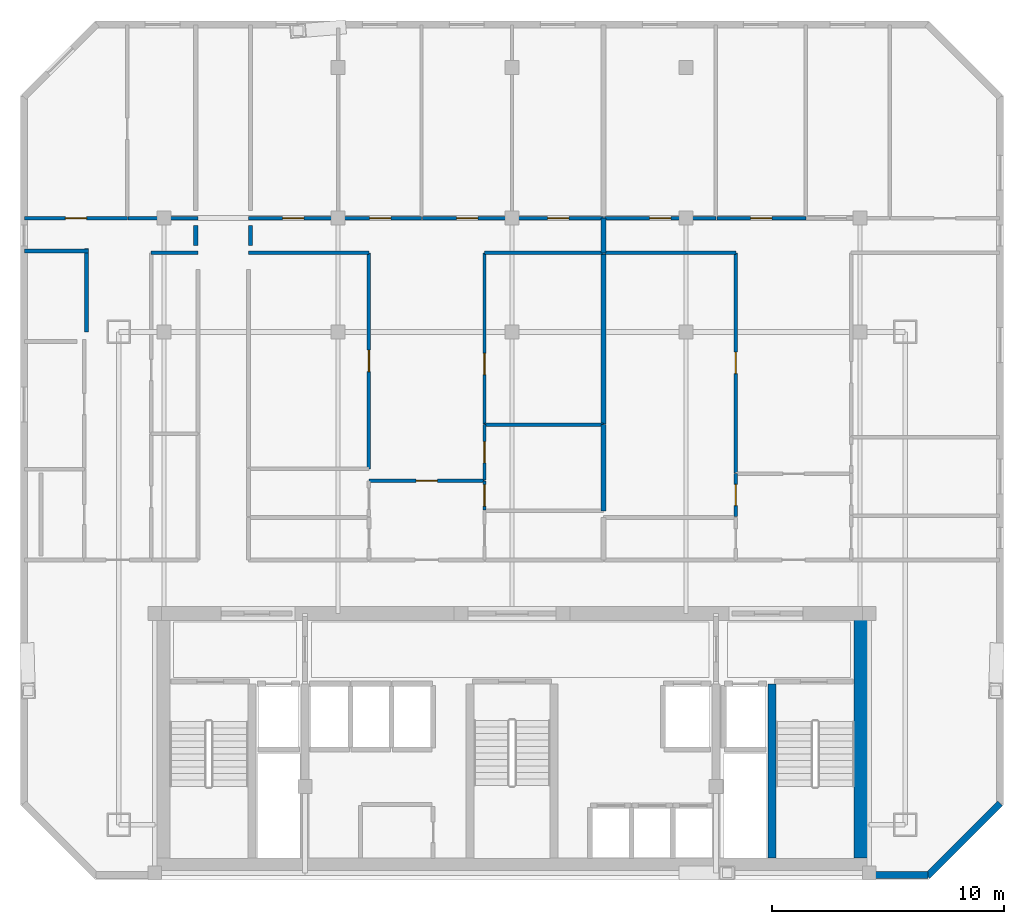
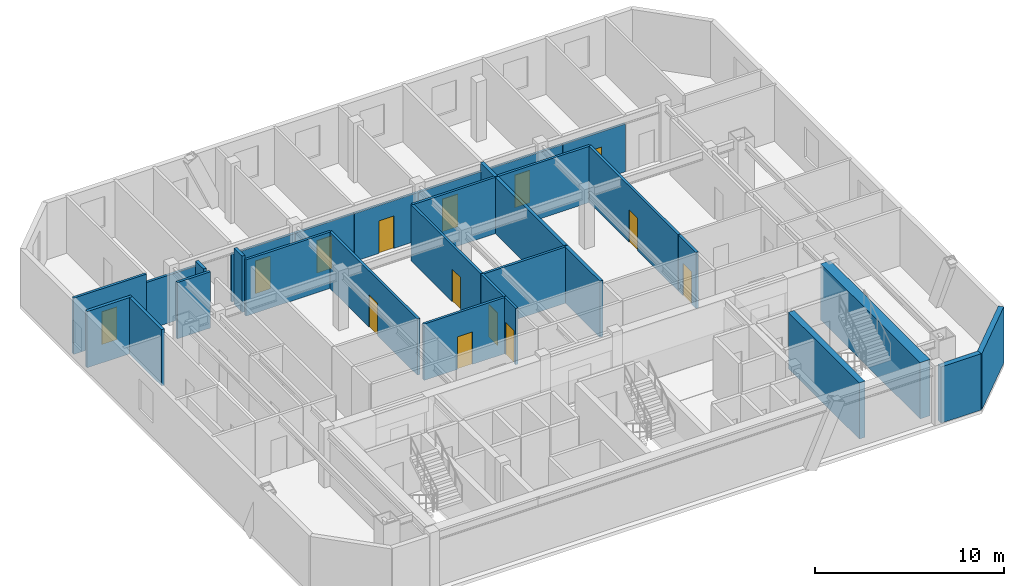
# One storey, part 4 of 7: 31 walls, 14 doors, 14 openings.
"""IFC4 building model written with IfcOpenShell, lengths in metres."""

from ifc_helpers import new_model, si_unit, direction, frame, frame_2d, origin, place, context, subcontext, project, spatial, rectangle, extrude, material, layer, layer_set, type_object, element, fill, save


model = new_model("IFC4")

# Units and contexts
model_context = context("Model", 3, precision=1e-05, world=origin(), true_north=direction((0.0, 1.0)))
body_context = subcontext(model_context, "Body", "Model", "MODEL_VIEW")
ifc_project = project(units=[si_unit("LENGTHUNIT", "METRE"), si_unit("AREAUNIT", "SQUARE_METRE"), si_unit("VOLUMEUNIT", "CUBIC_METRE"), si_unit("PLANEANGLEUNIT", "RADIAN"), si_unit("MASSUNIT", "GRAM", prefix="KILO")], contexts=[model_context])

# Site, building, storey
site_placement = place(None, origin())
site = spatial("IfcSite", under=ifc_project, at=site_placement, CompositionType="ELEMENT")
building_placement = place(site_placement, origin())
building = spatial("IfcBuilding", under=site, at=building_placement, Name="Ventersveld Concourse Tower", CompositionType="ELEMENT")
storey_placement = place(building_placement, frame((0.0, 0.0, 234.949951171875)))
storey = spatial("IfcBuildingStorey", under=building, at=storey_placement, Name="L58", CompositionType="ELEMENT", Elevation=234.949951171875)

# Walls
ifc_material_1 = material(Name="Concrete C50/60", Category="concrete")
ifc_layer_1 = layer(ifc_material_1, 0.35009765625)
ifc_layer_set_1 = layer_set([ifc_layer_1], Name="Concrete C50/60")
wall_type_1 = type_object("IfcWallType", Name="WL-CORE-350U", PredefinedType="SHEAR", material=ifc_layer_set_1)
wall_1_placement = place(storey_placement, frame((39.9599609375, 0.919921875, 0.0), z_axis=(0.0, 0.0, 1.0), x_axis=(0.0, 1.0, 0.0)))
element("IfcWall", 1, at=wall_1_placement, inside=storey, type_object=wall_type_1, Name="L58 Core Internal Shear Web W-ST2-W", PredefinedType="SHEAR", context=body_context, shape_type="SweptSolid", body=[
    extrude(rectangle(XDim=7.5, YDim=0.35009765625, at=frame_2d((3.75, 0.0))), origin(), (0.0, 0.0, 1.0), 3.630126953125),
])
ifc_layer_2 = layer(ifc_material_1, 0.60009765625)
ifc_layer_set_2 = layer_set([ifc_layer_2], Name="Concrete C50/60")
wall_type_2 = type_object("IfcWallType", Name="WL-CORE-600", PredefinedType="SHEAR", material=ifc_layer_set_2)
wall_2_placement = place(storey_placement, frame((43.800048828125, 0.919921875, 0.0), z_axis=(0.0, 0.0, 1.0), x_axis=(0.0, 1.0, 0.0)))
element("IfcWall", 2, at=wall_2_placement, inside=storey, type_object=wall_type_2, Name="L58 Rear Core East Shear Wall", PredefinedType="SHEAR", context=body_context, shape_type="SweptSolid", body=[
    extrude(rectangle(XDim=10.530029296875, YDim=0.60009765625, at=frame_2d((5.26513671875, 0.0))), origin(), (0.0, 0.0, 1.0), 3.630126953125),
])
ifc_material_2 = material(Name="Fire-rated autoclaved aerated masonry blockwork", Category="masonry")
ifc_layer_3 = layer(ifc_material_2, 0.179931640625)
ifc_layer_set_3 = layer_set([ifc_layer_3], Name="Fire-rated autoclaved aerated masonry blockwork")
wall_type_3 = type_object("IfcWallType", Name="WL-CORR-180", PredefinedType="PARTITIONING", material=ifc_layer_set_3)
wall_3_placement = place(storey_placement, frame((10.404052734375, 23.58740234375, 0.0), z_axis=(0.0, 0.0, 1.0), x_axis=(0.0, 1.0, 0.0)))
element("IfcWall", 3, at=wall_3_placement, inside=storey, type_object=wall_type_3, Name="L58 Room Enclosure Wall SP-L58-58NW-LIV", PredefinedType="PARTITIONING", context=body_context, shape_type="SweptSolid", body=[
    extrude(rectangle(XDim=3.59765625, YDim=0.179931640625, at=frame_2d((1.798828125, 0.0))), origin(), (0.0, 0.0, 1.0), 3.630126953125),
])
wall_4_placement = place(storey_placement, frame((10.4990234375, 27.090087890625, 0.0), z_axis=(0.0, 0.0, 1.0), x_axis=(-1.0, 0.0, 0.0)))
element("IfcWall", 4, at=wall_4_placement, inside=storey, type_object=wall_type_3, Name="L58 Room Enclosure Wall SP-L58-58NW-LIV", PredefinedType="PARTITIONING", context=body_context, shape_type="SweptSolid", body=[
    extrude(rectangle(XDim=2.75537109375, YDim=0.179931640625, at=frame_2d((1.377685546875, 0.0))), origin(), (0.0, 0.0, 1.0), 3.630126953125),
])
for number, where, z_axis, x_axis, name in (
    (5, (15.1201171875, 28.175048828125, 0.0), (0.0, 0.0, 1.0), (0.0, -1.0, 0.0), "L58 Room Enclosure Wall SP-L58-58NW-LIV"),
    (6, (17.47998046875, 27.324951171875, 0.0), (0.0, 0.0, 1.0), (0.0, 1.0, 0.0), "L58 Room Enclosure Wall SP-L58-58N1-LIV"),
):
    element("IfcWall", number, at=place(storey_placement, frame(where, z_axis=z_axis, x_axis=x_axis)), inside=storey, type_object=wall_type_3, Name=name, PredefinedType="PARTITIONING", context=body_context, shape_type="SweptSolid", body=[
        extrude(rectangle(XDim=0.85009765625, YDim=0.179931640625, at=frame_2d((0.425048828125, 0.0))), origin(), (0.0, 0.0, 1.0), 3.630126953125),
    ])
ifc_layer_4 = layer(ifc_material_2, 0.199951171875)
ifc_layer_set_4 = layer_set([ifc_layer_4], Name="Fire-rated autoclaved aerated masonry blockwork")
wall_type_4 = type_object("IfcWallType", Name="WL-DEMISE-200", PredefinedType="PARTITIONING", material=ifc_layer_set_4)
wall_5_placement = place(storey_placement, frame((32.6953125, 26.9951171875, 0.0), z_axis=(0.0, 0.0, 1.0), x_axis=(0.0, 1.0, 0.0)))
element("IfcWall", 7, at=wall_5_placement, inside=storey, type_object=wall_type_4, Name="L58 Interior Partition SP-L58-58N1-LIV-SP-L58-58N2-LIV", PredefinedType="PARTITIONING", context=body_context, shape_type="SweptSolid", body=[
    extrude(rectangle(XDim=1.509765625, YDim=0.199951171875, at=frame_2d((0.7548828125, 0.0))), origin(), (0.0, 0.0, 1.0), 3.630126953125),
])
wall_6_placement = place(storey_placement, frame((32.6953125, 15.884033203125, 0.0), z_axis=(0.0, 0.0, 1.0), x_axis=(0.0, 1.0, 0.0)))
element("IfcWall", 8, at=wall_6_placement, inside=storey, type_object=wall_type_4, Name="L58 Interior Partition SP-L58-58N1-SEMR1-SP-L58-58N2-MEDL0", PredefinedType="PARTITIONING", context=body_context, shape_type="SweptSolid", body=[
    extrude(rectangle(XDim=3.719482421875, YDim=0.199951171875, at=frame_2d((1.85986328125, 0.0))), origin(), (0.0, 0.0, 1.0), 3.630126953125),
])
wall_7_placement = place(storey_placement, frame((32.6953125, 19.633544921875, 0.0), z_axis=(0.0, 0.0, 1.0), x_axis=(0.0, 1.0, 0.0)))
element("IfcWall", 9, at=wall_7_placement, inside=storey, type_object=wall_type_4, Name="L58 Interior Partition SP-L58-58N1-DENS-SP-L58-58N2-MEDL0", PredefinedType="PARTITIONING", context=body_context, shape_type="SweptSolid", body=[
    extrude(rectangle(XDim=7.33154296875, YDim=0.199951171875, at=frame_2d((3.665771484375, 0.0))), origin(), (0.0, 0.0, 1.0), 3.630126953125),
])
ifc_material_3 = material(Name="Autoclaved aerated masonry blockwork", Category="masonry")
ifc_layer_5 = layer(ifc_material_3, 0.14990234375)
ifc_layer_set_5 = layer_set([ifc_layer_5], Name="Autoclaved aerated masonry blockwork")
wall_type_5 = type_object("IfcWallType", Name="WL-INT-150", PredefinedType="PARTITIONING", material=ifc_layer_set_5)
wall_8_placement = place(storey_placement, frame((13.19677734375, 27.0, 0.0), z_axis=(0.0, 0.0, 1.0), x_axis=(1.0, 0.0, 0.0)))
element("IfcWall", 10, at=wall_8_placement, inside=storey, type_object=wall_type_5, Name="L58 Interior Partition SP-L58-58NW-LIV-SP-L58-58NW-MEDR1", PredefinedType="PARTITIONING", context=body_context, shape_type="SweptSolid", body=[
    extrude(rectangle(XDim=2.018310546875, YDim=0.14990234375, at=frame_2d((1.00927734375, 0.0))), origin(), (0.0, 0.0, 1.0), 3.630126953125),
])

# Wall, opening, door
wall_9_placement = place(storey_placement, frame((7.74365234375, 28.5, 0.0), z_axis=(0.0, 0.0, 1.0), x_axis=(1.0, 0.0, 0.0)))
wall_9 = element("IfcWall", 11, at=wall_9_placement, inside=storey, type_object=wall_type_5, Name="L58 Interior Partition SP-L58-58NW-LIV-SP-L58-58NW-BR1", PredefinedType="PARTITIONING", context=body_context, shape_type="SweptSolid", body=[
    extrude(rectangle(XDim=4.428466796875, YDim=0.14990234375, at=frame_2d((2.21435546875, 0.0))), origin(), (0.0, 0.0, 1.0), 3.630126953125),
])
opening_1_placement = place(wall_9_placement, frame((1.75439453125, 0.0, 0.0)))
opening_1 = element("IfcOpeningElement", 12, at=opening_1_placement, cuts=wall_9, Name="Opening ID1", PredefinedType="OPENING", context=body_context, shape_type="SweptSolid", body=[
    extrude(rectangle(XDim=0.919921875, YDim=2.10009765625, at=frame_2d((0.4599609375, 1.050048828125))), frame((0.0, 0.0849609375, 0.0), z_axis=(0.0, -1.0, 0.0), x_axis=(1.0, 0.0, 0.0)), (0.0, 0.0, 1.0), 0.169921875),
])
ifc_material_4 = material(Name="Solid-core hardwood veneer timber", Category="wood")
door_type = type_object("IfcDoorType", Name="DR-ROOM-092", OperationType="NOTDEFINED", PredefinedType="DOOR", material=ifc_material_4)
door_1_placement = place(opening_1_placement, origin())
door_1 = element("IfcDoor", 13, at=door_1_placement, inside=storey, type_object=door_type, Name="L58 Interior Door SP-L58-58NW-LIV to SP-L58-58NW-BR1 (D-L58-2792)", OperationType="SINGLE_SWING_RIGHT", OverallHeight=2.10009765625, OverallWidth=0.919921875, PredefinedType="DOOR", context=body_context, shape_type="SweptSolid", body=[
    extrude(rectangle(XDim=0.919921875, YDim=2.10009765625, at=frame_2d((0.4599609375, 1.050048828125))), frame((0.0, 0.02490234375, 0.0), z_axis=(0.0, -1.0, 0.0), x_axis=(1.0, 0.0, 0.0)), (0.0, 0.0, 1.0), 0.050048828125),
])
fill(opening_1, door_1)

# Wall
wall_10_placement = place(storey_placement, frame((12.2021484375, 28.5, 0.0), z_axis=(0.0, 0.0, 1.0), x_axis=(1.0, 0.0, 0.0)))
element("IfcWall", 14, at=wall_10_placement, inside=storey, type_object=wall_type_5, Name="L58 Interior Partition SP-L58-58NW-LIV-SP-L58-58NW-BR2", PredefinedType="PARTITIONING", context=body_context, shape_type="SweptSolid", body=[
    extrude(rectangle(XDim=3.012939453125, YDim=0.14990234375, at=frame_2d((1.50634765625, 0.0))), origin(), (0.0, 0.0, 1.0), 3.08544921875),
])

# Wall, opening, door
wall_11_placement = place(storey_placement, frame((22.5791015625, 17.1728515625, 0.0), z_axis=(0.0, 0.0, 1.0), x_axis=(1.0, 0.0, 0.0)))
wall_11 = element("IfcWall", 15, at=wall_11_placement, inside=storey, type_object=wall_type_5, Name="L58 Interior Partition SP-L58-58N1-FOY-SP-L58-58N1-LIV", PredefinedType="PARTITIONING", context=body_context, shape_type="SweptSolid", body=[
    extrude(rectangle(XDim=4.989990234375, YDim=0.14990234375, at=frame_2d((2.4951171875, 0.0))), origin(), (0.0, 0.0, 1.0), 3.630126953125),
])
opening_2_placement = place(wall_11_placement, frame((2.034912109375, 0.0, 0.0)))
opening_2 = element("IfcOpeningElement", 16, at=opening_2_placement, cuts=wall_11, Name="Opening ID1", PredefinedType="OPENING", context=body_context, shape_type="SweptSolid", body=[
    extrude(rectangle(XDim=0.919921875, YDim=2.10009765625, at=frame_2d((0.4599609375, 1.050048828125))), frame((0.0, 0.0849609375, 0.0), z_axis=(0.0, -1.0, 0.0), x_axis=(1.0, 0.0, 0.0)), (0.0, 0.0, 1.0), 0.169921875),
])
door_2_placement = place(opening_2_placement, origin())
door_2 = element("IfcDoor", 17, at=door_2_placement, inside=storey, type_object=door_type, Name="L58 Interior Door SP-L58-58N1-FOY to SP-L58-58N1-LIV (D-L58-2794)", OperationType="SINGLE_SWING_RIGHT", OverallHeight=2.10009765625, OverallWidth=0.919921875, PredefinedType="DOOR", context=body_context, shape_type="SweptSolid", body=[
    extrude(rectangle(XDim=0.919921875, YDim=2.10009765625, at=frame_2d((0.4599609375, 1.050048828125))), frame((0.0, 0.02490234375, 0.0), z_axis=(0.0, -1.0, 0.0), x_axis=(1.0, 0.0, 0.0)), (0.0, 0.0, 1.0), 0.050048828125),
])
fill(opening_2, door_2)

wall_12_placement = place(storey_placement, frame((27.564208984375, 15.924072265625, 0.0), z_axis=(0.0, 0.0, 1.0), x_axis=(0.0, 1.0, 0.0)))
wall_12 = element("IfcWall", 18, at=wall_12_placement, inside=storey, type_object=wall_type_5, Name="L58 Interior Partition SP-L58-58N1-FOY-SP-L58-58N1-SEMR1", PredefinedType="PARTITIONING", context=body_context, shape_type="SweptSolid", body=[
    extrude(rectangle(XDim=1.253662109375, YDim=0.14990234375, at=frame_2d((0.626953125, 0.0))), origin(), (0.0, 0.0, 1.0), 3.630126953125),
])
opening_3_placement = place(wall_12_placement, frame((0.1669921875, 0.0, 0.0)))
opening_3 = element("IfcOpeningElement", 19, at=opening_3_placement, cuts=wall_12, Name="Opening ID1", PredefinedType="OPENING", context=body_context, shape_type="SweptSolid", body=[
    extrude(rectangle(XDim=0.919921875, YDim=2.10009765625, at=frame_2d((0.4599609375, 1.050048828125))), frame((0.0, 0.0849609375, 0.0), z_axis=(0.0, -1.0, 0.0), x_axis=(1.0, 0.0, 0.0)), (0.0, 0.0, 1.0), 0.169921875),
])
door_3_placement = place(opening_3_placement, origin())
door_3 = element("IfcDoor", 20, at=door_3_placement, inside=storey, type_object=door_type, Name="L58 Interior Door SP-L58-58N1-FOY to SP-L58-58N1-SEMR1 (D-L58-2798)", OperationType="SINGLE_SWING_RIGHT", OverallHeight=2.10009765625, OverallWidth=0.919921875, PredefinedType="DOOR", context=body_context, shape_type="SweptSolid", body=[
    extrude(rectangle(XDim=0.919921875, YDim=2.10009765625, at=frame_2d((0.4599609375, 1.050048828125))), frame((0.0, 0.02490234375, 0.0), z_axis=(0.0, -1.0, 0.0), x_axis=(1.0, 0.0, 0.0)), (0.0, 0.0, 1.0), 0.050048828125),
])
fill(opening_3, door_3)

wall_13_placement = place(storey_placement, frame((22.583984375, 17.689697265625, 0.0), z_axis=(0.0, 0.0, 1.0), x_axis=(0.0, 1.0, 0.0)))
wall_13 = element("IfcWall", 21, at=wall_13_placement, inside=storey, type_object=wall_type_5, Name="L58 Interior Partition SP-L58-58N1-LIV-SP-L58-58N1-DENL", PredefinedType="PARTITIONING", context=body_context, shape_type="SweptSolid", body=[
    extrude(rectangle(XDim=9.315185546875, YDim=0.14990234375, at=frame_2d((4.65771484375, 0.0))), origin(), (0.0, 0.0, 1.0), 3.630126953125),
])
opening_4_placement = place(wall_13_placement, frame((4.19775390625, 0.0, 0.0)))
opening_4 = element("IfcOpeningElement", 22, at=opening_4_placement, cuts=wall_13, Name="Opening ID1", PredefinedType="OPENING", context=body_context, shape_type="SweptSolid", body=[
    extrude(rectangle(XDim=0.919921875, YDim=2.10009765625, at=frame_2d((0.4599609375, 1.050048828125))), frame((0.0, 0.0849609375, 0.0), z_axis=(0.0, -1.0, 0.0), x_axis=(1.0, 0.0, 0.0)), (0.0, 0.0, 1.0), 0.169921875),
])
door_4_placement = place(opening_4_placement, origin())
door_4 = element("IfcDoor", 23, at=door_4_placement, inside=storey, type_object=door_type, Name="L58 Interior Door SP-L58-58N1-LIV to SP-L58-58N1-DENL (D-L58-2799)", OperationType="SINGLE_SWING_LEFT", OverallHeight=2.10009765625, OverallWidth=0.919921875, PredefinedType="DOOR", context=body_context, shape_type="SweptSolid", body=[
    extrude(rectangle(XDim=0.919921875, YDim=2.10009765625, at=frame_2d((0.4599609375, 1.050048828125))), frame((0.0, 0.02490234375, 0.0), z_axis=(0.0, -1.0, 0.0), x_axis=(1.0, 0.0, 0.0)), (0.0, 0.0, 1.0), 0.050048828125),
])
fill(opening_4, door_4)

# Wall
wall_14_placement = place(storey_placement, frame((17.385009765625, 27.0, 0.0), z_axis=(0.0, 0.0, 1.0), x_axis=(1.0, 0.0, 0.0)))
element("IfcWall", 24, at=wall_14_placement, inside=storey, type_object=wall_type_5, Name="L58 Interior Partition SP-L58-58N1-LIV-SP-L58-58N1-DENL", PredefinedType="PARTITIONING", context=body_context, shape_type="SweptSolid", body=[
    extrude(rectangle(XDim=5.2041015625, YDim=0.14990234375, at=frame_2d((2.60205078125, 0.0))), origin(), (0.0, 0.0, 1.0), 3.630126953125),
])

# Wall, opening, door
wall_15_placement = place(storey_placement, frame((27.564208984375, 17.207763671875, 0.0), z_axis=(0.0, 0.0, 1.0), x_axis=(0.0, 1.0, 0.0)))
wall_15 = element("IfcWall", 25, at=wall_15_placement, inside=storey, type_object=wall_type_5, Name="L58 Interior Partition SP-L58-58N1-LIV-SP-L58-58N1-SEMR1", PredefinedType="PARTITIONING", context=body_context, shape_type="SweptSolid", body=[
    extrude(rectangle(XDim=2.395751953125, YDim=0.14990234375, at=frame_2d((1.19775390625, 0.0))), origin(), (0.0, 0.0, 1.0), 3.630126953125),
])
opening_5_placement = place(wall_15_placement, frame((0.73779296875, 0.0, 0.0)))
opening_5 = element("IfcOpeningElement", 26, at=opening_5_placement, cuts=wall_15, Name="Opening ID1", PredefinedType="OPENING", context=body_context, shape_type="SweptSolid", body=[
    extrude(rectangle(XDim=0.919921875, YDim=2.10009765625, at=frame_2d((0.4599609375, 1.050048828125))), frame((0.0, 0.0849609375, 0.0), z_axis=(0.0, -1.0, 0.0), x_axis=(1.0, 0.0, 0.0)), (0.0, 0.0, 1.0), 0.169921875),
])
door_5_placement = place(opening_5_placement, origin())
door_5 = element("IfcDoor", 27, at=door_5_placement, inside=storey, type_object=door_type, Name="L58 Interior Door SP-L58-58N1-LIV to SP-L58-58N1-SEMR1 (D-L58-2800)", OperationType="SINGLE_SWING_RIGHT", OverallHeight=2.10009765625, OverallWidth=0.919921875, PredefinedType="DOOR", context=body_context, shape_type="SweptSolid", body=[
    extrude(rectangle(XDim=0.919921875, YDim=2.10009765625, at=frame_2d((0.4599609375, 1.050048828125))), frame((0.0, 0.02490234375, 0.0), z_axis=(0.0, -1.0, 0.0), x_axis=(1.0, 0.0, 0.0)), (0.0, 0.0, 1.0), 0.050048828125),
])
fill(opening_5, door_5)

wall_16_placement = place(storey_placement, frame((27.564208984375, 19.633544921875, 0.0), z_axis=(0.0, 0.0, 1.0), x_axis=(0.0, 1.0, 0.0)))
wall_16 = element("IfcWall", 28, at=wall_16_placement, inside=storey, type_object=wall_type_5, Name="L58 Interior Partition SP-L58-58N1-LIV-SP-L58-58N1-DENS", PredefinedType="PARTITIONING", context=body_context, shape_type="SweptSolid", body=[
    extrude(rectangle(XDim=7.371337890625, YDim=0.14990234375, at=frame_2d((3.685546875, 0.0))), origin(), (0.0, 0.0, 1.0), 3.630126953125),
])
opening_6_placement = place(wall_16_placement, frame((2.1201171875, 0.0, 0.0)))
opening_6 = element("IfcOpeningElement", 29, at=opening_6_placement, cuts=wall_16, Name="Opening ID1", PredefinedType="OPENING", context=body_context, shape_type="SweptSolid", body=[
    extrude(rectangle(XDim=0.919921875, YDim=2.10009765625, at=frame_2d((0.4599609375, 1.050048828125))), frame((0.0, 0.0849609375, 0.0), z_axis=(0.0, -1.0, 0.0), x_axis=(1.0, 0.0, 0.0)), (0.0, 0.0, 1.0), 0.169921875),
])
door_6_placement = place(opening_6_placement, origin())
door_6 = element("IfcDoor", 30, at=door_6_placement, inside=storey, type_object=door_type, Name="L58 Interior Door SP-L58-58N1-LIV to SP-L58-58N1-DENS (D-L58-2801)", OperationType="SINGLE_SWING_LEFT", OverallHeight=2.10009765625, OverallWidth=0.919921875, PredefinedType="DOOR", context=body_context, shape_type="SweptSolid", body=[
    extrude(rectangle(XDim=0.919921875, YDim=2.10009765625, at=frame_2d((0.4599609375, 1.050048828125))), frame((0.0, 0.02490234375, 0.0), z_axis=(0.0, -1.0, 0.0), x_axis=(1.0, 0.0, 0.0)), (0.0, 0.0, 1.0), 0.050048828125),
])
fill(opening_6, door_6)

# Wall
wall_17_placement = place(storey_placement, frame((27.55908203125, 27.0, 0.0), z_axis=(0.0, 0.0, 1.0), x_axis=(1.0, 0.0, 0.0)))
element("IfcWall", 31, at=wall_17_placement, inside=storey, type_object=wall_type_5, Name="L58 Interior Partition SP-L58-58N1-LIV-SP-L58-58N1-DENS", PredefinedType="PARTITIONING", context=body_context, shape_type="SweptSolid", body=[
    extrude(rectangle(XDim=5.14111328125, YDim=0.14990234375, at=frame_2d((2.570556640625, 0.0))), origin(), (0.0, 0.0, 1.0), 3.630126953125),
])

# Wall, opening, door
wall_18_placement = place(storey_placement, frame((17.385009765625, 28.5, 0.0), z_axis=(0.0, 0.0, 1.0), x_axis=(1.0, 0.0, 0.0)))
wall_18 = element("IfcWall", 32, at=wall_18_placement, inside=storey, type_object=wall_type_5, Name="L58 Interior Partition SP-L58-58N1-LIV-SP-L58-58N1-BR1", PredefinedType="PARTITIONING", context=body_context, shape_type="SweptSolid", body=[
    extrude(rectangle(XDim=3.869873046875, YDim=0.14990234375, at=frame_2d((1.93505859375, 0.0))), origin(), (0.0, 0.0, 1.0), 3.08544921875),
])
opening_7_placement = place(wall_18_placement, frame((1.47509765625, 0.0, 0.0)))
opening_7 = element("IfcOpeningElement", 33, at=opening_7_placement, cuts=wall_18, Name="Opening ID1", PredefinedType="OPENING", context=body_context, shape_type="SweptSolid", body=[
    extrude(rectangle(XDim=0.919921875, YDim=2.10009765625, at=frame_2d((0.4599609375, 1.050048828125))), frame((0.0, 0.0849609375, 0.0), z_axis=(0.0, -1.0, 0.0), x_axis=(1.0, 0.0, 0.0)), (0.0, 0.0, 1.0), 0.169921875),
])
door_7_placement = place(opening_7_placement, origin())
door_7 = element("IfcDoor", 34, at=door_7_placement, inside=storey, type_object=door_type, Name="L58 Interior Door SP-L58-58N1-LIV to SP-L58-58N1-BR1 (D-L58-2802)", OperationType="SINGLE_SWING_RIGHT", OverallHeight=2.10009765625, OverallWidth=0.919921875, PredefinedType="DOOR", context=body_context, shape_type="SweptSolid", body=[
    extrude(rectangle(XDim=0.919921875, YDim=2.10009765625, at=frame_2d((0.4599609375, 1.050048828125))), frame((0.0, 0.02490234375, 0.0), z_axis=(0.0, -1.0, 0.0), x_axis=(1.0, 0.0, 0.0)), (0.0, 0.0, 1.0), 0.050048828125),
])
fill(opening_7, door_7)

wall_19_placement = place(storey_placement, frame((21.284912109375, 28.5, 0.0), z_axis=(0.0, 0.0, 1.0), x_axis=(1.0, 0.0, 0.0)))
wall_19 = element("IfcWall", 35, at=wall_19_placement, inside=storey, type_object=wall_type_5, Name="L58 Interior Partition SP-L58-58N1-LIV-SP-L58-58N1-BR2", PredefinedType="PARTITIONING", context=body_context, shape_type="SweptSolid", body=[
    extrude(rectangle(XDim=3.568603515625, YDim=0.14990234375, at=frame_2d((1.7841796875, 0.0))), origin(), (0.0, 0.0, 1.0), 3.08544921875),
])
opening_8_placement = place(wall_19_placement, frame((1.32421875, 0.0, 0.0)))
opening_8 = element("IfcOpeningElement", 36, at=opening_8_placement, cuts=wall_19, Name="Opening ID1", PredefinedType="OPENING", context=body_context, shape_type="SweptSolid", body=[
    extrude(rectangle(XDim=0.919921875, YDim=2.10009765625, at=frame_2d((0.4599609375, 1.050048828125))), frame((0.0, 0.0849609375, 0.0), z_axis=(0.0, -1.0, 0.0), x_axis=(1.0, 0.0, 0.0)), (0.0, 0.0, 1.0), 0.169921875),
])
door_8_placement = place(opening_8_placement, origin())
door_8 = element("IfcDoor", 37, at=door_8_placement, inside=storey, type_object=door_type, Name="L58 Interior Door SP-L58-58N1-LIV to SP-L58-58N1-BR2 (D-L58-2803)", OperationType="SINGLE_SWING_LEFT", OverallHeight=2.10009765625, OverallWidth=0.919921875, PredefinedType="DOOR", context=body_context, shape_type="SweptSolid", body=[
    extrude(rectangle(XDim=0.919921875, YDim=2.10009765625, at=frame_2d((0.4599609375, 1.050048828125))), frame((0.0, 0.02490234375, 0.0), z_axis=(0.0, -1.0, 0.0), x_axis=(1.0, 0.0, 0.0)), (0.0, 0.0, 1.0), 0.050048828125),
])
fill(opening_8, door_8)

wall_20_placement = place(storey_placement, frame((24.88330078125, 28.5, 0.0), z_axis=(0.0, 0.0, 1.0), x_axis=(1.0, 0.0, 0.0)))
wall_20 = element("IfcWall", 38, at=wall_20_placement, inside=storey, type_object=wall_type_5, Name="L58 Interior Partition SP-L58-58N1-LIV-SP-L58-58N1-BR3", PredefinedType="PARTITIONING", context=body_context, shape_type="SweptSolid", body=[
    extrude(rectangle(XDim=3.87158203125, YDim=0.14990234375, at=frame_2d((1.935791015625, 0.0))), origin(), (0.0, 0.0, 1.0), 3.08544921875),
])
opening_9_placement = place(wall_20_placement, frame((1.475830078125, 0.0, 0.0)))
opening_9 = element("IfcOpeningElement", 39, at=opening_9_placement, cuts=wall_20, Name="Opening ID1", PredefinedType="OPENING", context=body_context, shape_type="SweptSolid", body=[
    extrude(rectangle(XDim=0.919921875, YDim=2.10009765625, at=frame_2d((0.4599609375, 1.050048828125))), frame((0.0, 0.0849609375, 0.0), z_axis=(0.0, -1.0, 0.0), x_axis=(1.0, 0.0, 0.0)), (0.0, 0.0, 1.0), 0.169921875),
])
door_9_placement = place(opening_9_placement, origin())
door_9 = element("IfcDoor", 40, at=door_9_placement, inside=storey, type_object=door_type, Name="L58 Interior Door SP-L58-58N1-LIV to SP-L58-58N1-BR3 (D-L58-2804)", OperationType="SINGLE_SWING_RIGHT", OverallHeight=2.10009765625, OverallWidth=0.919921875, PredefinedType="DOOR", context=body_context, shape_type="SweptSolid", body=[
    extrude(rectangle(XDim=0.919921875, YDim=2.10009765625, at=frame_2d((0.4599609375, 1.050048828125))), frame((0.0, 0.02490234375, 0.0), z_axis=(0.0, -1.0, 0.0), x_axis=(1.0, 0.0, 0.0)), (0.0, 0.0, 1.0), 0.050048828125),
])
fill(opening_9, door_9)

wall_21_placement = place(storey_placement, frame((28.784912109375, 28.5, 0.0), z_axis=(0.0, 0.0, 1.0), x_axis=(1.0, 0.0, 0.0)))
wall_21 = element("IfcWall", 41, at=wall_21_placement, inside=storey, type_object=wall_type_5, Name="L58 Interior Partition SP-L58-58N1-LIV-SP-L58-58N1-BR4", PredefinedType="PARTITIONING", context=body_context, shape_type="SweptSolid", body=[
    extrude(rectangle(XDim=3.915283203125, YDim=0.14990234375, at=frame_2d((1.95751953125, 0.0))), origin(), (0.0, 0.0, 1.0), 3.08544921875),
])
opening_10_placement = place(wall_21_placement, frame((1.49755859375, 0.0, 0.0)))
opening_10 = element("IfcOpeningElement", 42, at=opening_10_placement, cuts=wall_21, Name="Opening ID1", PredefinedType="OPENING", context=body_context, shape_type="SweptSolid", body=[
    extrude(rectangle(XDim=0.919921875, YDim=2.10009765625, at=frame_2d((0.4599609375, 1.050048828125))), frame((0.0, 0.0849609375, 0.0), z_axis=(0.0, -1.0, 0.0), x_axis=(1.0, 0.0, 0.0)), (0.0, 0.0, 1.0), 0.169921875),
])
door_10_placement = place(opening_10_placement, origin())
door_10 = element("IfcDoor", 43, at=door_10_placement, inside=storey, type_object=door_type, Name="L58 Interior Door SP-L58-58N1-LIV to SP-L58-58N1-BR4 (D-L58-2805)", OperationType="SINGLE_SWING_LEFT", OverallHeight=2.10009765625, OverallWidth=0.919921875, PredefinedType="DOOR", context=body_context, shape_type="SweptSolid", body=[
    extrude(rectangle(XDim=0.919921875, YDim=2.10009765625, at=frame_2d((0.4599609375, 1.050048828125))), frame((0.0, 0.02490234375, 0.0), z_axis=(0.0, -1.0, 0.0), x_axis=(1.0, 0.0, 0.0)), (0.0, 0.0, 1.0), 0.050048828125),
])
fill(opening_10, door_10)

# Wall
wall_22_placement = place(storey_placement, frame((27.55908203125, 19.598388671875, 0.0), z_axis=(0.0, 0.0, 1.0), x_axis=(1.0, 0.0, 0.0)))
element("IfcWall", 44, at=wall_22_placement, inside=storey, type_object=wall_type_5, Name="L58 Interior Partition SP-L58-58N1-SEMR1-SP-L58-58N1-DENS", PredefinedType="PARTITIONING", context=body_context, shape_type="SweptSolid", body=[
    extrude(rectangle(XDim=5.14111328125, YDim=0.14990234375, at=frame_2d((2.570556640625, 0.0))), origin(), (0.0, 0.0, 1.0), 3.630126953125),
])

# Wall, opening, door
wall_23_placement = place(storey_placement, frame((38.393310546875, 15.635009765625, 0.0), z_axis=(0.0, 0.0, 1.0), x_axis=(0.0, 1.0, 0.0)))
wall_23 = element("IfcWall", 45, at=wall_23_placement, inside=storey, type_object=wall_type_5, Name="L58 Interior Partition SP-L58-58N2-FOY-SP-L58-58N2-MEDL0", PredefinedType="PARTITIONING", context=body_context, shape_type="SweptSolid", body=[
    extrude(rectangle(XDim=1.85595703125, YDim=0.14990234375, at=frame_2d((0.927978515625, 0.0))), origin(), (0.0, 0.0, 1.0), 3.630126953125),
])
opening_11_placement = place(wall_23_placement, frame((0.468017578125, 0.0, 0.0)))
opening_11 = element("IfcOpeningElement", 46, at=opening_11_placement, cuts=wall_23, Name="Opening ID1", PredefinedType="OPENING", context=body_context, shape_type="SweptSolid", body=[
    extrude(rectangle(XDim=0.919921875, YDim=2.10009765625, at=frame_2d((0.4599609375, 1.050048828125))), frame((0.0, 0.0849609375, 0.0), z_axis=(0.0, -1.0, 0.0), x_axis=(1.0, 0.0, 0.0)), (0.0, 0.0, 1.0), 0.169921875),
])
door_11_placement = place(opening_11_placement, origin())
door_11 = element("IfcDoor", 47, at=door_11_placement, inside=storey, type_object=door_type, Name="L58 Interior Door SP-L58-58N2-FOY to SP-L58-58N2-MEDL0 (D-L58-2808)", OperationType="SINGLE_SWING_RIGHT", OverallHeight=2.10009765625, OverallWidth=0.919921875, PredefinedType="DOOR", context=body_context, shape_type="SweptSolid", body=[
    extrude(rectangle(XDim=0.919921875, YDim=2.10009765625, at=frame_2d((0.4599609375, 1.050048828125))), frame((0.0, 0.02490234375, 0.0), z_axis=(0.0, -1.0, 0.0), x_axis=(1.0, 0.0, 0.0)), (0.0, 0.0, 1.0), 0.050048828125),
])
fill(opening_11, door_11)

wall_24_placement = place(storey_placement, frame((38.393310546875, 17.52099609375, 0.0), z_axis=(0.0, 0.0, 1.0), x_axis=(0.0, 1.0, 0.0)))
wall_24 = element("IfcWall", 48, at=wall_24_placement, inside=storey, type_object=wall_type_5, Name="L58 Interior Partition SP-L58-58N2-LIV-SP-L58-58N2-MEDL0", PredefinedType="PARTITIONING", context=body_context, shape_type="SweptSolid", body=[
    extrude(rectangle(XDim=9.48388671875, YDim=0.14990234375, at=frame_2d((4.741943359375, 0.0))), origin(), (0.0, 0.0, 1.0), 3.630126953125),
])
opening_12_placement = place(wall_24_placement, frame((4.281982421875, 0.0, 0.0)))
opening_12 = element("IfcOpeningElement", 49, at=opening_12_placement, cuts=wall_24, Name="Opening ID1", PredefinedType="OPENING", context=body_context, shape_type="SweptSolid", body=[
    extrude(rectangle(XDim=0.919921875, YDim=2.10009765625, at=frame_2d((0.4599609375, 1.050048828125))), frame((0.0, 0.0849609375, 0.0), z_axis=(0.0, -1.0, 0.0), x_axis=(1.0, 0.0, 0.0)), (0.0, 0.0, 1.0), 0.169921875),
])
door_12_placement = place(opening_12_placement, origin())
door_12 = element("IfcDoor", 50, at=door_12_placement, inside=storey, type_object=door_type, Name="L58 Interior Door SP-L58-58N2-LIV to SP-L58-58N2-MEDL0 (D-L58-2811)", OperationType="SINGLE_SWING_LEFT", OverallHeight=2.10009765625, OverallWidth=0.919921875, PredefinedType="DOOR", context=body_context, shape_type="SweptSolid", body=[
    extrude(rectangle(XDim=0.919921875, YDim=2.10009765625, at=frame_2d((0.4599609375, 1.050048828125))), frame((0.0, 0.02490234375, 0.0), z_axis=(0.0, -1.0, 0.0), x_axis=(1.0, 0.0, 0.0)), (0.0, 0.0, 1.0), 0.050048828125),
])
fill(opening_12, door_12)

# Wall
wall_25_placement = place(storey_placement, frame((32.730224609375, 27.0, 0.0), z_axis=(0.0, 0.0, 1.0), x_axis=(1.0, 0.0, 0.0)))
element("IfcWall", 51, at=wall_25_placement, inside=storey, type_object=wall_type_5, Name="L58 Interior Partition SP-L58-58N2-LIV-SP-L58-58N2-MEDL0", PredefinedType="PARTITIONING", context=body_context, shape_type="SweptSolid", body=[
    extrude(rectangle(XDim=5.66796875, YDim=0.14990234375, at=frame_2d((2.833984375, 0.0))), origin(), (0.0, 0.0, 1.0), 3.630126953125),
])

# Wall, opening, door
wall_26_placement = place(storey_placement, frame((32.730224609375, 28.5, 0.0), z_axis=(0.0, 0.0, 1.0), x_axis=(1.0, 0.0, 0.0)))
wall_26 = element("IfcWall", 52, at=wall_26_placement, inside=storey, type_object=wall_type_5, Name="L58 Interior Partition SP-L58-58N2-LIV-SP-L58-58N2-BR1", PredefinedType="PARTITIONING", context=body_context, shape_type="SweptSolid", body=[
    extrude(rectangle(XDim=4.81787109375, YDim=0.14990234375, at=frame_2d((2.408935546875, 0.0))), origin(), (0.0, 0.0, 1.0), 3.08544921875),
])
opening_13_placement = place(wall_26_placement, frame((1.948974609375, 0.0, 0.0)))
opening_13 = element("IfcOpeningElement", 53, at=opening_13_placement, cuts=wall_26, Name="Opening ID1", PredefinedType="OPENING", context=body_context, shape_type="SweptSolid", body=[
    extrude(rectangle(XDim=0.919921875, YDim=2.10009765625, at=frame_2d((0.4599609375, 1.050048828125))), frame((0.0, 0.0849609375, 0.0), z_axis=(0.0, -1.0, 0.0), x_axis=(1.0, 0.0, 0.0)), (0.0, 0.0, 1.0), 0.169921875),
])
door_13_placement = place(opening_13_placement, origin())
door_13 = element("IfcDoor", 54, at=door_13_placement, inside=storey, type_object=door_type, Name="L58 Interior Door SP-L58-58N2-LIV to SP-L58-58N2-BR1 (D-L58-2814)", OperationType="SINGLE_SWING_RIGHT", OverallHeight=2.10009765625, OverallWidth=0.919921875, PredefinedType="DOOR", context=body_context, shape_type="SweptSolid", body=[
    extrude(rectangle(XDim=0.919921875, YDim=2.10009765625, at=frame_2d((0.4599609375, 1.050048828125))), frame((0.0, 0.02490234375, 0.0), z_axis=(0.0, -1.0, 0.0), x_axis=(1.0, 0.0, 0.0)), (0.0, 0.0, 1.0), 0.050048828125),
])
fill(opening_13, door_13)

wall_27_placement = place(storey_placement, frame((37.578125, 28.5, 0.0), z_axis=(0.0, 0.0, 1.0), x_axis=(1.0, 0.0, 0.0)))
wall_27 = element("IfcWall", 55, at=wall_27_placement, inside=storey, type_object=wall_type_5, Name="L58 Interior Partition SP-L58-58N2-LIV-SP-L58-58N2-BR2", PredefinedType="PARTITIONING", context=body_context, shape_type="SweptSolid", body=[
    extrude(rectangle(XDim=3.835205078125, YDim=0.14990234375, at=frame_2d((1.91748046875, 0.0))), origin(), (0.0, 0.0, 1.0), 3.08544921875),
])
opening_14_placement = place(wall_27_placement, frame((1.45751953125, 0.0, 0.0)))
opening_14 = element("IfcOpeningElement", 56, at=opening_14_placement, cuts=wall_27, Name="Opening ID1", PredefinedType="OPENING", context=body_context, shape_type="SweptSolid", body=[
    extrude(rectangle(XDim=0.919921875, YDim=2.10009765625, at=frame_2d((0.4599609375, 1.050048828125))), frame((0.0, 0.0849609375, 0.0), z_axis=(0.0, -1.0, 0.0), x_axis=(1.0, 0.0, 0.0)), (0.0, 0.0, 1.0), 0.169921875),
])
door_14_placement = place(opening_14_placement, origin())
door_14 = element("IfcDoor", 57, at=door_14_placement, inside=storey, type_object=door_type, Name="L58 Interior Door SP-L58-58N2-LIV to SP-L58-58N2-BR2 (D-L58-2815)", OperationType="SINGLE_SWING_LEFT", OverallHeight=2.10009765625, OverallWidth=0.919921875, PredefinedType="DOOR", context=body_context, shape_type="SweptSolid", body=[
    extrude(rectangle(XDim=0.919921875, YDim=2.10009765625, at=frame_2d((0.4599609375, 1.050048828125))), frame((0.0, 0.02490234375, 0.0), z_axis=(0.0, -1.0, 0.0), x_axis=(1.0, 0.0, 0.0)), (0.0, 0.0, 1.0), 0.050048828125),
])
fill(opening_14, door_14)

# Walls
ifc_material_5 = material(Name="Precast concrete C45/55", Category="concrete")
ifc_layer_6 = layer(ifc_material_5, 0.300048828125)
ifc_layer_set_6 = layer_set([ifc_layer_6], Name="Precast concrete C45/55")
wall_type_6 = type_object("IfcWallType", Name="WL-PREC-300", PredefinedType="SOLIDWALL", material=ifc_layer_set_6)
wall_28_placement = place(storey_placement, frame((44.25, 0.179931640625, 0.0), z_axis=(0.0, 0.0, 1.0), x_axis=(1.0, 0.0, 0.0)))
element("IfcWall", 58, at=wall_28_placement, inside=storey, type_object=wall_type_6, Name="L58 South-East Flank Precast Wall", PredefinedType="SOLIDWALL", context=body_context, shape_type="SweptSolid", body=[
    extrude(rectangle(XDim=2.43896484375, YDim=0.300048828125, at=frame_2d((1.219482421875, 0.0))), origin(), (0.0, 0.0, 1.0), 3.630126953125),
])
wall_29_placement = place(storey_placement, frame((46.651123046875, 0.134521484375, 0.0), z_axis=(0.0, 0.0, 1.0), x_axis=(0.707106781187, 0.707106781187, 0.0)))
element("IfcWall", 59, at=wall_29_placement, inside=storey, type_object=wall_type_6, Name="L58 Highveld Precast Facade Wall E02", PredefinedType="SOLIDWALL", context=body_context, shape_type="SweptSolid", body=[
    extrude(rectangle(XDim=4.4453125, YDim=0.300048828125, at=frame_2d((2.22265625, 0.0))), origin(), (0.0, 0.0, 1.0), 3.630126953125),
])

save(model, "model.ifc")
